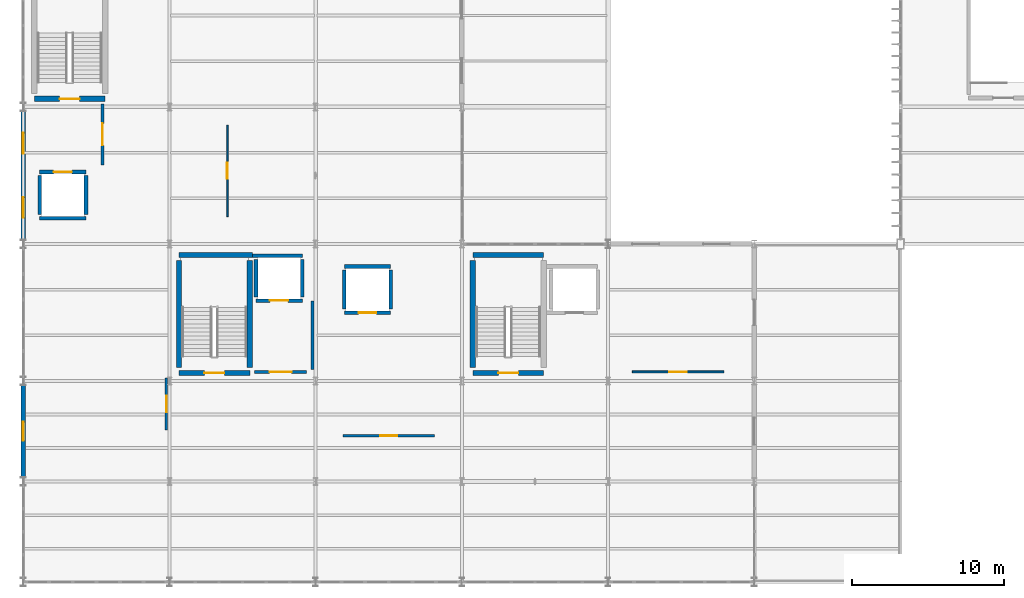
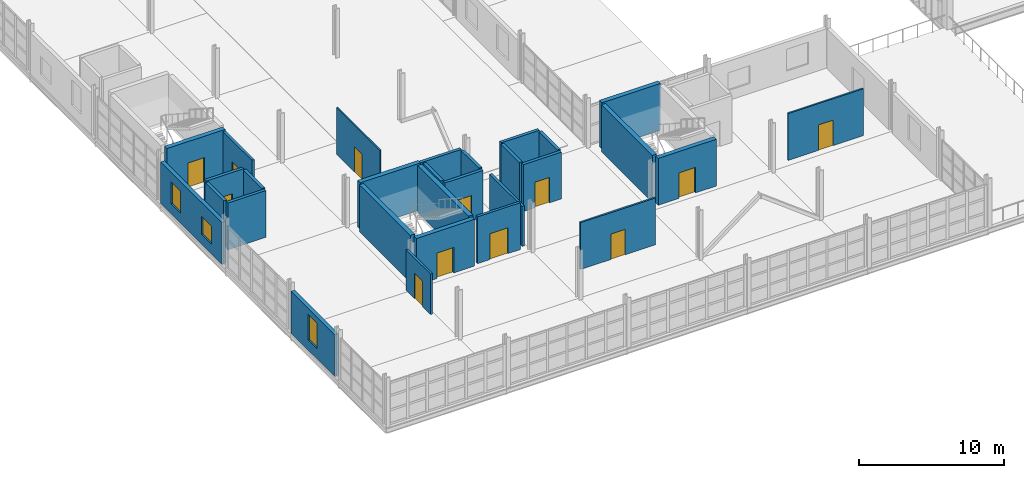
# One storey, part 68 of 82: 29 walls, 12 doors, 3 windows, 15 openings.
"""IFC4 building model written with IfcOpenShell, lengths in metres."""

from ifc_helpers import new_model, si_unit, direction, frame, frame_2d, origin, place, context, subcontext, project, spatial, rectangle, extrude, material, layer, layer_set, type_object, element, fill, save


model = new_model("IFC4")

# Units and contexts
model_context = context("Model", 3, precision=1e-05, world=origin(), true_north=direction((0.0, 1.0)))
body_context = subcontext(model_context, "Body", "Model", "MODEL_VIEW")
ifc_project = project(units=[si_unit("LENGTHUNIT", "METRE"), si_unit("AREAUNIT", "SQUARE_METRE"), si_unit("VOLUMEUNIT", "CUBIC_METRE"), si_unit("PLANEANGLEUNIT", "RADIAN"), si_unit("MASSUNIT", "GRAM", prefix="KILO")], contexts=[model_context])

# Site, building, storey
site_placement = place(None, origin())
site = spatial("IfcSite", under=ifc_project, at=site_placement, CompositionType="ELEMENT")
building_placement = place(site_placement, origin())
building = spatial("IfcBuilding", under=site, at=building_placement, Name="Zarnetskaya Central Station", CompositionType="ELEMENT")
storey_placement = place(building_placement, frame((0.0, 0.0, 10.199951171875)))
storey = spatial("IfcBuildingStorey", under=building, at=storey_placement, Name="L02", CompositionType="ELEMENT", Elevation=10.199951171875)

# Wall, opening, door
ifc_material_1 = material(Name="Gypsum acoustic partition")
ifc_layer_1 = layer(ifc_material_1, 0.159912109375, Name="Gypsum acoustic partition")
ifc_layer_set_1 = layer_set([ifc_layer_1], Name="Gypsum acoustic partition")
wall_type_1 = type_object("IfcWallType", Name="PART-ACOU-160", PredefinedType="PARTITIONING", material=ifc_layer_set_1)
wall_1_placement = place(storey_placement, frame((9.39990234375, 13.39990234375, 0.0), z_axis=(0.0, 0.0, 1.0), x_axis=(0.0, -1.0, 0.0)))
wall_1 = element("IfcWall", 1, at=wall_1_placement, inside=storey, type_object=wall_type_1, Name="Interior partition IPRT-L02-0422", PredefinedType="PARTITIONING", context=body_context, shape_type="SweptSolid", body=[
    extrude(rectangle(XDim=3.39990234375, YDim=0.159912109375, at=frame_2d((1.699951171875, 0.0))), origin(), (0.0, 0.0, 1.0), 3.420166015625),
])
opening_1_placement = place(wall_1_placement, frame((1.159912109375, 0.0, 0.0)))
opening_1 = element("IfcOpeningElement", 2, at=opening_1_placement, cuts=wall_1, Name="Opening DR-25", PredefinedType="OPENING", context=body_context, shape_type="SweptSolid", body=[
    extrude(rectangle(XDim=1.080078125, YDim=2.1201171875, at=frame_2d((0.5400390625, 1.06005859375))), frame((0.0, 0.08984375, 0.0), z_axis=(0.0, -1.0, 0.0), x_axis=(1.0, 0.0, 0.0)), (0.0, 0.0, 1.0), 0.179931640625),
])
ifc_material_2 = material(Name="Anodised aluminium", Category="aluminium")
door_type_1 = type_object("IfcDoorType", Name="DR-INT-06", OperationType="NOTDEFINED", PredefinedType="DOOR", material=ifc_material_2)
door_1_placement = place(opening_1_placement, origin())
door_1 = element("IfcDoor", 3, at=door_1_placement, inside=storey, type_object=door_type_1, Name="Relay and Trackside Power Conditioning Hall door", OperationType="SINGLE_SWING_RIGHT", OverallHeight=2.1201171875, OverallWidth=1.080078125, PredefinedType="DOOR", context=body_context, shape_type="SweptSolid", body=[
    extrude(rectangle(XDim=1.080078125, YDim=2.1201171875, at=frame_2d((0.5400390625, 1.06005859375))), frame((0.0, 0.02490234375, 0.0), z_axis=(0.0, -1.0, 0.0), x_axis=(1.0, 0.0, 0.0)), (0.0, 0.0, 1.0), 0.050048828125),
])
fill(opening_1, door_1)

ifc_material_3 = material(Name="Concrete C30/37", Category="concrete")
ifc_layer_2 = layer(ifc_material_3, 0.205078125, Name="Concrete C30/37", Category="concrete")
ifc_layer_set_2 = layer_set([ifc_layer_2], Name="Concrete C30/37")
wall_type_2 = type_object("IfcWallType", Name="PART-FFL-205", PredefinedType="PARTITIONING", material=ifc_layer_set_2)
wall_2_placement = place(storey_placement, frame((18.60009765625, 13.800048828125, 0.0), z_axis=(0.0, 0.0, 1.0), x_axis=(-1.0, 0.0, 0.0)))
wall_2 = element("IfcWall", 4, at=wall_2_placement, inside=storey, type_object=wall_type_2, Name="Interior partition IPRT-L02-0362", PredefinedType="PARTITIONING", context=body_context, shape_type="SweptSolid", body=[
    extrude(rectangle(XDim=3.400146484375, YDim=0.205078125, at=frame_2d((1.7001953125, 0.0))), origin(), (0.0, 0.0, 1.0), 3.949951171875),
])
opening_2_placement = place(wall_2_placement, frame((0.97998046875, 0.0, 0.0)))
opening_2 = element("IfcOpeningElement", 5, at=opening_2_placement, cuts=wall_2, Name="Opening DR-FFL", PredefinedType="OPENING", context=body_context, shape_type="SweptSolid", body=[
    extrude(rectangle(XDim=1.43994140625, YDim=2.179931640625, at=frame_2d((0.719970703125, 1.08984375))), frame((0.0, 0.112548828125, 0.0), z_axis=(0.0, -1.0, 0.0), x_axis=(1.0, 0.0, 0.0)), (0.0, 0.0, 1.0), 0.22509765625),
])
door_type_2 = type_object("IfcDoorType", Name="DR-FIRE-LOBBY", OperationType="NOTDEFINED", PredefinedType="DOOR", material=ifc_material_2)
door_2_placement = place(opening_2_placement, origin())
door_2 = element("IfcDoor", 6, at=door_2_placement, inside=storey, type_object=door_type_2, Name="Firefighting Lift Lobby C1 door", OperationType="SINGLE_SWING_RIGHT", OverallHeight=2.179931640625, OverallWidth=1.43994140625, PredefinedType="DOOR", context=body_context, shape_type="SweptSolid", body=[
    extrude(rectangle(XDim=1.43994140625, YDim=2.179931640625, at=frame_2d((0.719970703125, 1.08984375))), frame((0.0, 0.02490234375, 0.0), z_axis=(0.0, -1.0, 0.0), x_axis=(1.0, 0.0, 0.0)), (0.0, 0.0, 1.0), 0.050048828125),
])
fill(opening_2, door_2)

# Wall
wall_3_placement = place(storey_placement, frame((19.0, 18.449951171875, 0.0), z_axis=(0.0, 0.0, 1.0), x_axis=(0.0, -1.0, 0.0)))
element("IfcWall", 7, at=wall_3_placement, inside=storey, type_object=wall_type_2, Name="Interior partition IPRT-L02-0363", PredefinedType="PARTITIONING", context=body_context, shape_type="SweptSolid", body=[
    extrude(rectangle(XDim=4.5, YDim=0.205078125, at=frame_2d((2.25, 0.0))), origin(), (0.0, 0.0, 1.0), 3.3701171875),
])

# Wall, opening, door
wall_4_placement = place(storey_placement, frame((5.199951171875, 31.39990234375, 0.0), z_axis=(0.0, 0.0, 1.0), x_axis=(0.0, -1.0, 0.0)))
wall_4 = element("IfcWall", 8, at=wall_4_placement, inside=storey, type_object=wall_type_2, Name="Interior partition IPRT-L02-0364", PredefinedType="PARTITIONING", context=body_context, shape_type="SweptSolid", body=[
    extrude(rectangle(XDim=4.0, YDim=0.205078125, at=frame_2d((2.0, 0.0))), origin(), (0.0, 0.0, 1.0), 3.949951171875),
])
opening_3_placement = place(wall_4_placement, frame((1.280029296875, 0.0, 0.0)))
opening_3 = element("IfcOpeningElement", 9, at=opening_3_placement, cuts=wall_4, Name="Opening DR-FFL", PredefinedType="OPENING", context=body_context, shape_type="SweptSolid", body=[
    extrude(rectangle(XDim=1.43994140625, YDim=2.179931640625, at=frame_2d((0.719970703125, 1.08984375))), frame((0.0, 0.112548828125, 0.0), z_axis=(0.0, -1.0, 0.0), x_axis=(1.0, 0.0, 0.0)), (0.0, 0.0, 1.0), 0.22509765625),
])
door_3_placement = place(opening_3_placement, origin())
door_3 = element("IfcDoor", 10, at=door_3_placement, inside=storey, type_object=door_type_2, Name="Firefighting Lift Lobby C2 door", OperationType="SINGLE_SWING_LEFT", OverallHeight=2.179931640625, OverallWidth=1.43994140625, PredefinedType="DOOR", context=body_context, shape_type="SweptSolid", body=[
    extrude(rectangle(XDim=1.43994140625, YDim=2.179931640625, at=frame_2d((0.719970703125, 1.08984375))), frame((0.0, 0.02490234375, 0.0), z_axis=(0.0, -1.0, 0.0), x_axis=(1.0, 0.0, 0.0)), (0.0, 0.0, 1.0), 0.050048828125),
])
fill(opening_3, door_3)

ifc_layer_3 = layer(ifc_material_1, 0.14501953125, Name="Gypsum acoustic partition")
ifc_layer_set_3 = layer_set([ifc_layer_3], Name="Gypsum acoustic partition")
wall_type_3 = type_object("IfcWallType", Name="PART-HALL-145", PredefinedType="PARTITIONING", material=ifc_layer_set_3)
wall_5_placement = place(storey_placement, frame((21.0, 9.60009765625, 0.0), z_axis=(0.0, 0.0, 1.0), x_axis=(1.0, 0.0, 0.0)))
wall_5 = element("IfcWall", 11, at=wall_5_placement, inside=storey, type_object=wall_type_3, Name="Interior partition IPRT-L02-0423", PredefinedType="PARTITIONING", context=body_context, shape_type="SweptSolid", body=[
    extrude(rectangle(XDim=6.0, YDim=0.14501953125, at=frame_2d((3.0, 0.0))), origin(), (0.0, 0.0, 1.0), 3.949951171875),
])
opening_4_placement = place(wall_5_placement, frame((2.43994140625, 0.0, 0.0)))
opening_4 = element("IfcOpeningElement", 12, at=opening_4_placement, cuts=wall_5, Name="Opening DR-07", PredefinedType="OPENING", context=body_context, shape_type="SweptSolid", body=[
    extrude(rectangle(XDim=1.1201171875, YDim=2.14990234375, at=frame_2d((0.56005859375, 1.074951171875))), frame((0.0, 0.08251953125, 0.0), z_axis=(0.0, -1.0, 0.0), x_axis=(1.0, 0.0, 0.0)), (0.0, 0.0, 1.0), 0.1650390625),
])
door_type_3 = type_object("IfcDoorType", Name="DR-INT-07", OperationType="NOTDEFINED", PredefinedType="DOOR", material=ifc_material_2)
door_4_placement = place(opening_4_placement, origin())
door_4 = element("IfcDoor", 13, at=door_4_placement, inside=storey, type_object=door_type_3, Name="Station Dispatch Offices East door", OperationType="SINGLE_SWING_LEFT", OverallHeight=2.14990234375, OverallWidth=1.1201171875, PredefinedType="DOOR", context=body_context, shape_type="SweptSolid", body=[
    extrude(rectangle(XDim=1.1201171875, YDim=2.14990234375, at=frame_2d((0.56005859375, 1.074951171875))), frame((0.0, 0.02490234375, 0.0), z_axis=(0.0, -1.0, 0.0), x_axis=(1.0, 0.0, 0.0)), (0.0, 0.0, 1.0), 0.050048828125),
])
fill(opening_4, door_4)

ifc_material_4 = material(Name="Gypsum stud partition")
ifc_layer_4 = layer(ifc_material_4, 0.10009765625, Name="Gypsum stud partition")
ifc_layer_set_4 = layer_set([ifc_layer_4], Name="Gypsum stud partition")
wall_type_4 = type_object("IfcWallType", Name="PART-LGT-100", PredefinedType="PARTITIONING", material=ifc_layer_set_4)
wall_6_placement = place(storey_placement, frame((13.39990234375, 24.0, 0.0), z_axis=(0.0, 0.0, 1.0), x_axis=(0.0, 1.0, 0.0)))
wall_6 = element("IfcWall", 14, at=wall_6_placement, inside=storey, type_object=wall_type_4, Name="Interior partition IPRT-L02-0421", PredefinedType="PARTITIONING", context=body_context, shape_type="SweptSolid", body=[
    extrude(rectangle(XDim=6.0, YDim=0.10009765625, at=frame_2d((3.0, 0.0))), origin(), (0.0, 0.0, 1.0), 3.949951171875),
])
opening_5_placement = place(wall_6_placement, frame((2.47998046875, 0.0, 0.0)))
opening_5 = element("IfcOpeningElement", 15, at=opening_5_placement, cuts=wall_6, Name="Opening DR-26", PredefinedType="OPENING", context=body_context, shape_type="SweptSolid", body=[
    extrude(rectangle(XDim=1.0400390625, YDim=2.1201171875, at=frame_2d((0.52001953125, 1.06005859375))), frame((0.0, 0.06005859375, 0.0), z_axis=(0.0, -1.0, 0.0), x_axis=(1.0, 0.0, 0.0)), (0.0, 0.0, 1.0), 0.1201171875),
])
door_type_4 = type_object("IfcDoorType", Name="DR-INT-05", OperationType="NOTDEFINED", PredefinedType="DOOR", material=ifc_material_2)
door_5_placement = place(opening_5_placement, origin())
door_5 = element("IfcDoor", 16, at=door_5_placement, inside=storey, type_object=door_type_4, Name="Signalling and Interlock Equipment Hall door", OperationType="SINGLE_SWING_LEFT", OverallHeight=2.1201171875, OverallWidth=1.0400390625, PredefinedType="DOOR", context=body_context, shape_type="SweptSolid", body=[
    extrude(rectangle(XDim=1.0400390625, YDim=2.1201171875, at=frame_2d((0.52001953125, 1.06005859375))), frame((0.0, 0.02490234375, 0.0), z_axis=(0.0, -1.0, 0.0), x_axis=(1.0, 0.0, 0.0)), (0.0, 0.0, 1.0), 0.050048828125),
])
fill(opening_5, door_5)

ifc_layer_5 = layer(ifc_material_1, 0.1298828125, Name="Gypsum acoustic partition")
ifc_layer_set_5 = layer_set([ifc_layer_5], Name="Gypsum acoustic partition")
wall_type_5 = type_object("IfcWallType", Name="PART-OFF-130", PredefinedType="PARTITIONING", material=ifc_layer_set_5)
wall_7_placement = place(storey_placement, frame((46.0, 13.800048828125, 0.0), z_axis=(0.0, 0.0, 1.0), x_axis=(-1.0, 0.0, 0.0)))
wall_7 = element("IfcWall", 17, at=wall_7_placement, inside=storey, type_object=wall_type_5, Name="Interior partition IPRT-L02-0424", PredefinedType="PARTITIONING", context=body_context, shape_type="SweptSolid", body=[
    extrude(rectangle(XDim=6.0, YDim=0.1298828125, at=frame_2d((3.0, 0.0))), origin(), (0.0, 0.0, 1.0), 3.949951171875),
])
opening_6_placement = place(wall_7_placement, frame((2.419921875, 0.0, 0.0)))
opening_6 = element("IfcOpeningElement", 18, at=opening_6_placement, cuts=wall_7, Name="Opening DR-19", PredefinedType="OPENING", context=body_context, shape_type="SweptSolid", body=[
    extrude(rectangle(XDim=1.159912109375, YDim=2.14990234375, at=frame_2d((0.580078125, 1.074951171875))), frame((0.0, 0.074951171875, 0.0), z_axis=(0.0, -1.0, 0.0), x_axis=(1.0, 0.0, 0.0)), (0.0, 0.0, 1.0), 0.14990234375),
])
door_type_5 = type_object("IfcDoorType", Name="DR-INT-08", OperationType="NOTDEFINED", PredefinedType="DOOR", material=ifc_material_2)
door_6_placement = place(opening_6_placement, origin())
door_6 = element("IfcDoor", 19, at=door_6_placement, inside=storey, type_object=door_type_5, Name="Platform Operations Dispatch Lounge door", OperationType="SINGLE_SWING_RIGHT", OverallHeight=2.14990234375, OverallWidth=1.159912109375, PredefinedType="DOOR", context=body_context, shape_type="SweptSolid", body=[
    extrude(rectangle(XDim=1.159912109375, YDim=2.14990234375, at=frame_2d((0.580078125, 1.074951171875))), frame((0.0, 0.02490234375, 0.0), z_axis=(0.0, -1.0, 0.0), x_axis=(1.0, 0.0, 0.0)), (0.0, 0.0, 1.0), 0.050048828125),
])
fill(opening_6, door_6)

ifc_material_5 = material(Name="Concrete C35/45", Category="concrete")
ifc_layer_6 = layer(ifc_material_5, 0.35009765625, Name="Concrete C35/45", Category="concrete")
ifc_layer_set_6 = layer_set([ifc_layer_6], Name="Concrete C35/45")
wall_type_6 = type_object("IfcWallType", Name="WALL-CORE-350", PredefinedType="SHEAR", material=ifc_layer_set_6)
wall_8_placement = place(storey_placement, frame((14.875, 13.72509765625, 0.0), z_axis=(0.0, 0.0, 1.0), x_axis=(-1.0, 0.0, 0.0)))
wall_8 = element("IfcWall", 20, at=wall_8_placement, inside=storey, type_object=wall_type_6, Name="Core shear wall WSTR-L02-0201", PredefinedType="SHEAR", context=body_context, shape_type="SweptSolid", body=[
    extrude(rectangle(XDim=4.64990234375, YDim=0.35009765625, at=frame_2d((2.324951171875, 0.0))), origin(), (0.0, 0.0, 1.0), 3.949951171875),
])
opening_7_placement = place(wall_8_placement, frame((1.6650390625, 0.0, 0.0)))
opening_7 = element("IfcOpeningElement", 21, at=opening_7_placement, cuts=wall_8, Name="Opening DR-FD60", PredefinedType="OPENING", context=body_context, shape_type="SweptSolid", body=[
    extrude(rectangle(XDim=1.320068359375, YDim=2.14990234375, at=frame_2d((0.66015625, 1.074951171875))), frame((0.0, 0.18505859375, 0.0), z_axis=(0.0, -1.0, 0.0), x_axis=(1.0, 0.0, 0.0)), (0.0, 0.0, 1.0), 0.3701171875),
])
door_type_6 = type_object("IfcDoorType", Name="DR-FIRE-STAIR", OperationType="NOTDEFINED", PredefinedType="DOOR", material=ifc_material_2)
door_7_placement = place(opening_7_placement, origin())
door_7 = element("IfcDoor", 22, at=door_7_placement, inside=storey, type_object=door_type_6, Name="Protected exit stair door ST-C1 L02", OperationType="SINGLE_SWING_RIGHT", OverallHeight=2.14990234375, OverallWidth=1.320068359375, PredefinedType="DOOR", context=body_context, shape_type="SweptSolid", body=[
    extrude(rectangle(XDim=1.320068359375, YDim=2.14990234375, at=frame_2d((0.66015625, 1.074951171875))), frame((0.0, 0.02490234375, 0.0), z_axis=(0.0, -1.0, 0.0), x_axis=(1.0, 0.0, 0.0)), (0.0, 0.0, 1.0), 0.050048828125),
])
fill(opening_7, door_7)

# Walls
wall_9_placement = place(storey_placement, frame((10.22509765625, 21.47509765625, 0.0), z_axis=(0.0, 0.0, 1.0), x_axis=(1.0, 0.0, 0.0)))
element("IfcWall", 23, at=wall_9_placement, inside=storey, type_object=wall_type_6, Name="Core shear wall WSTR-L02-0202", PredefinedType="SHEAR", context=body_context, shape_type="SweptSolid", body=[
    extrude(rectangle(XDim=4.824951171875, YDim=0.35009765625, at=frame_2d((2.41259765625, 0.0))), origin(), (0.0, 0.0, 1.0), 3.949951171875),
])
for number, where, z_axis, x_axis, name in (
    (24, (10.22509765625, 14.074951171875, 0.0), (0.0, 0.0, 1.0), (0.0, 1.0, 0.0), "Core shear wall WSTR-L02-0203"),
    (25, (14.875, 21.125, 0.0), (0.0, 0.0, 1.0), (0.0, -1.0, 0.0), "Core shear wall WSTR-L02-0204"),
):
    element("IfcWall", number, at=place(storey_placement, frame(where, z_axis=z_axis, x_axis=x_axis)), inside=storey, type_object=wall_type_6, Name=name, PredefinedType="SHEAR", context=body_context, shape_type="SweptSolid", body=[
        extrude(rectangle(XDim=7.050048828125, YDim=0.35009765625, at=frame_2d((3.52490234375, 0.0))), origin(), (0.0, 0.0, 1.0), 3.949951171875),
    ])

# Wall, opening, door
wall_10_placement = place(storey_placement, frame((5.375, 31.72509765625, 0.0), z_axis=(0.0, 0.0, 1.0), x_axis=(-1.0, 0.0, 0.0)))
wall_10 = element("IfcWall", 26, at=wall_10_placement, inside=storey, type_object=wall_type_6, Name="Core shear wall WSTR-L02-0229", PredefinedType="SHEAR", context=body_context, shape_type="SweptSolid", body=[
    extrude(rectangle(XDim=4.64990234375, YDim=0.35009765625, at=frame_2d((2.324951171875, 0.0))), origin(), (0.0, 0.0, 1.0), 3.949951171875),
])
opening_8_placement = place(wall_10_placement, frame((1.6650390625, 0.0, 0.0)))
opening_8 = element("IfcOpeningElement", 27, at=opening_8_placement, cuts=wall_10, Name="Opening DR-FD60", PredefinedType="OPENING", context=body_context, shape_type="SweptSolid", body=[
    extrude(rectangle(XDim=1.320068359375, YDim=2.14990234375, at=frame_2d((0.66015625, 1.074951171875))), frame((0.0, 0.18505859375, 0.0), z_axis=(0.0, -1.0, 0.0), x_axis=(1.0, 0.0, 0.0)), (0.0, 0.0, 1.0), 0.3701171875),
])
door_8_placement = place(opening_8_placement, origin())
door_8 = element("IfcDoor", 28, at=door_8_placement, inside=storey, type_object=door_type_6, Name="Protected exit stair door ST-C2 L02", OperationType="SINGLE_SWING_LEFT", OverallHeight=2.14990234375, OverallWidth=1.320068359375, PredefinedType="DOOR", context=body_context, shape_type="SweptSolid", body=[
    extrude(rectangle(XDim=1.320068359375, YDim=2.14990234375, at=frame_2d((0.66015625, 1.074951171875))), frame((0.0, 0.02490234375, 0.0), z_axis=(0.0, -1.0, 0.0), x_axis=(1.0, 0.0, 0.0)), (0.0, 0.0, 1.0), 0.050048828125),
])
fill(opening_8, door_8)

wall_11_placement = place(storey_placement, frame((34.175048828125, 13.72509765625, 0.0), z_axis=(0.0, 0.0, 1.0), x_axis=(-1.0, 0.0, 0.0)))
wall_11 = element("IfcWall", 29, at=wall_11_placement, inside=storey, type_object=wall_type_6, Name="Core shear wall WSTR-L02-0257", PredefinedType="SHEAR", context=body_context, shape_type="SweptSolid", body=[
    extrude(rectangle(XDim=4.650146484375, YDim=0.35009765625, at=frame_2d((2.3251953125, 0.0))), origin(), (0.0, 0.0, 1.0), 3.949951171875),
])
opening_9_placement = place(wall_11_placement, frame((1.6650390625, 0.0, 0.0)))
opening_9 = element("IfcOpeningElement", 30, at=opening_9_placement, cuts=wall_11, Name="Opening DR-FD60", PredefinedType="OPENING", context=body_context, shape_type="SweptSolid", body=[
    extrude(rectangle(XDim=1.320068359375, YDim=2.14990234375, at=frame_2d((0.66015625, 1.074951171875))), frame((0.0, 0.18505859375, 0.0), z_axis=(0.0, -1.0, 0.0), x_axis=(1.0, 0.0, 0.0)), (0.0, 0.0, 1.0), 0.3701171875),
])
door_9_placement = place(opening_9_placement, origin())
door_9 = element("IfcDoor", 31, at=door_9_placement, inside=storey, type_object=door_type_6, Name="Protected exit stair door ST-C3 L02", OperationType="SINGLE_SWING_RIGHT", OverallHeight=2.14990234375, OverallWidth=1.320068359375, PredefinedType="DOOR", context=body_context, shape_type="SweptSolid", body=[
    extrude(rectangle(XDim=1.320068359375, YDim=2.14990234375, at=frame_2d((0.66015625, 1.074951171875))), frame((0.0, 0.02490234375, 0.0), z_axis=(0.0, -1.0, 0.0), x_axis=(1.0, 0.0, 0.0)), (0.0, 0.0, 1.0), 0.050048828125),
])
fill(opening_9, door_9)

# Walls
wall_12_placement = place(storey_placement, frame((29.52490234375, 21.47509765625, 0.0), z_axis=(0.0, 0.0, 1.0), x_axis=(1.0, 0.0, 0.0)))
element("IfcWall", 32, at=wall_12_placement, inside=storey, type_object=wall_type_6, Name="Core shear wall WSTR-L02-0258", PredefinedType="SHEAR", context=body_context, shape_type="SweptSolid", body=[
    extrude(rectangle(XDim=4.650146484375, YDim=0.35009765625, at=frame_2d((2.3251953125, 0.0))), origin(), (0.0, 0.0, 1.0), 3.949951171875),
])
wall_13_placement = place(storey_placement, frame((29.52490234375, 14.074951171875, 0.0), z_axis=(0.0, 0.0, 1.0), x_axis=(0.0, 1.0, 0.0)))
element("IfcWall", 33, at=wall_13_placement, inside=storey, type_object=wall_type_6, Name="Core shear wall WSTR-L02-0259", PredefinedType="SHEAR", context=body_context, shape_type="SweptSolid", body=[
    extrude(rectangle(XDim=7.050048828125, YDim=0.35009765625, at=frame_2d((3.52490234375, 0.0))), origin(), (0.0, 0.0, 1.0), 3.949951171875),
])

# Wall, opening, window
ifc_material_6 = material(Name="Precast concrete C40/50", Category="concrete")
ifc_layer_7 = layer(ifc_material_6, 0.300048828125, Name="Precast concrete C40/50", Category="concrete")
ifc_layer_set_7 = layer_set([ifc_layer_7], Name="Precast concrete C40/50")
wall_type_7 = type_object("IfcWallType", Name="WALL-EXT-300", PredefinedType="SOLIDWALL", material=ifc_layer_set_7)
wall_14_placement = place(storey_placement, frame((0.0, 6.875, 0.0), z_axis=(0.0, 0.0, 1.0), x_axis=(0.0, 1.0, 0.0)))
wall_14 = element("IfcWall", 34, at=wall_14_placement, inside=storey, type_object=wall_type_7, Name="Exterior precast wall EW-L02-0-69-0-129", PredefinedType="SOLIDWALL", context=body_context, shape_type="SweptSolid", body=[
    extrude(rectangle(XDim=6.050048828125, YDim=0.300048828125, at=frame_2d((3.02490234375, 0.0))), origin(), (0.0, 0.0, 1.0), 3.52001953125),
])
opening_10_placement = place(wall_14_placement, frame((2.39990234375, 0.0, 0.85009765625)))
opening_10 = element("IfcOpeningElement", 35, at=opening_10_placement, cuts=wall_14, Name="Opening WN-40", PredefinedType="OPENING", context=body_context, shape_type="SweptSolid", body=[
    extrude(rectangle(XDim=1.25, YDim=2.14990234375, at=frame_2d((0.625, 1.074951171875))), frame((0.0, 0.16015625, 0.0), z_axis=(0.0, -1.0, 0.0), x_axis=(1.0, 0.0, 0.0)), (0.0, 0.0, 1.0), 0.320068359375),
])
ifc_material_7 = material(Name="Low-E insulated glass", Category="glass")
window_type_1 = type_object("IfcWindowType", Name="WIN-06", PartitioningType="SINGLE_PANEL", PredefinedType="WINDOW", material=ifc_material_7)
window_1_placement = place(opening_10_placement, origin())
window_1 = element("IfcWindow", 36, at=window_1_placement, inside=storey, type_object=window_type_1, Name="Facade window L02-0060", OverallHeight=2.14990234375, OverallWidth=1.25, PartitioningType="SINGLE_PANEL", PredefinedType="WINDOW", context=body_context, shape_type="SweptSolid", body=[
    extrude(rectangle(XDim=1.25, YDim=2.14990234375, at=frame_2d((0.625, 1.074951171875))), frame((0.0, 0.030029296875, 0.0), z_axis=(0.0, -1.0, 0.0), x_axis=(1.0, 0.0, 0.0)), (0.0, 0.0, 1.0), 0.06005859375),
])
fill(opening_10, window_1)

# Wall, openings, windows
wall_15_placement = place(storey_placement, frame((0.0, 22.47509765625, 0.0), z_axis=(0.0, 0.0, 1.0), x_axis=(0.0, 1.0, 0.0)))
wall_15 = element("IfcWall", 37, at=wall_15_placement, inside=storey, type_object=wall_type_7, Name="Exterior precast wall EW-L02-0-225-0-309", PredefinedType="SOLIDWALL", context=body_context, shape_type="SweptSolid", body=[
    extrude(rectangle(XDim=8.449951171875, YDim=0.300048828125, at=frame_2d((4.22509765625, 0.0))), origin(), (0.0, 0.0, 1.0), 3.52001953125),
])
opening_11_placement = place(wall_15_placement, frame((1.4375, 0.0, 0.85009765625)))
opening_11 = element("IfcOpeningElement", 38, at=opening_11_placement, cuts=wall_15, Name="Opening WN-03", PredefinedType="OPENING", context=body_context, shape_type="SweptSolid", body=[
    extrude(rectangle(XDim=1.35009765625, YDim=1.5, at=frame_2d((0.675048828125, 0.75))), frame((0.0, 0.16015625, 0.0), z_axis=(0.0, -1.0, 0.0), x_axis=(1.0, 0.0, 0.0)), (0.0, 0.0, 1.0), 0.320068359375),
])
opening_12_placement = place(wall_15_placement, frame((5.66259765625, 0.0, 0.85009765625)))
opening_12 = element("IfcOpeningElement", 39, at=opening_12_placement, cuts=wall_15, Name="Opening WN-04", PredefinedType="OPENING", context=body_context, shape_type="SweptSolid", body=[
    extrude(rectangle(XDim=1.35009765625, YDim=1.85009765625, at=frame_2d((0.675048828125, 0.925048828125))), frame((0.0, 0.16015625, 0.0), z_axis=(0.0, -1.0, 0.0), x_axis=(1.0, 0.0, 0.0)), (0.0, 0.0, 1.0), 0.320068359375),
])
window_type_2 = type_object("IfcWindowType", Name="WIN-07", PartitioningType="SINGLE_PANEL", PredefinedType="WINDOW", material=ifc_material_7)
window_2_placement = place(opening_11_placement, origin())
window_2 = element("IfcWindow", 40, at=window_2_placement, inside=storey, type_object=window_type_2, Name="Facade window L02-0061", OverallHeight=1.5, OverallWidth=1.35009765625, PartitioningType="SINGLE_PANEL", PredefinedType="WINDOW", context=body_context, shape_type="SweptSolid", body=[
    extrude(rectangle(XDim=1.35009765625, YDim=1.5, at=frame_2d((0.675048828125, 0.75))), frame((0.0, 0.030029296875, 0.0), z_axis=(0.0, -1.0, 0.0), x_axis=(1.0, 0.0, 0.0)), (0.0, 0.0, 1.0), 0.06005859375),
])
fill(opening_11, window_2)
window_type_3 = type_object("IfcWindowType", Name="WIN-08", PartitioningType="SINGLE_PANEL", PredefinedType="WINDOW", material=ifc_material_7)
window_3_placement = place(opening_12_placement, origin())
window_3 = element("IfcWindow", 41, at=window_3_placement, inside=storey, type_object=window_type_3, Name="Facade window L02-0062", OverallHeight=1.85009765625, OverallWidth=1.35009765625, PartitioningType="SINGLE_PANEL", PredefinedType="WINDOW", context=body_context, shape_type="SweptSolid", body=[
    extrude(rectangle(XDim=1.35009765625, YDim=1.85009765625, at=frame_2d((0.675048828125, 0.925048828125))), frame((0.0, 0.030029296875, 0.0), z_axis=(0.0, -1.0, 0.0), x_axis=(1.0, 0.0, 0.0)), (0.0, 0.0, 1.0), 0.06005859375),
])
fill(opening_12, window_3)

# Wall, opening, door
ifc_layer_8 = layer(ifc_material_5, 0.239990234375, Name="Concrete C35/45", Category="concrete")
ifc_layer_set_8 = layer_set([ifc_layer_8], Name="Concrete C35/45")
wall_type_8 = type_object("IfcWallType", Name="WALL-SHFT-240", PredefinedType="SHEAR", material=ifc_layer_set_8)
wall_16_placement = place(storey_placement, frame((18.320068359375, 18.47998046875, 0.0), z_axis=(0.0, 0.0, 1.0), x_axis=(-1.0, 0.0, 0.0)))
wall_16 = element("IfcWall", 42, at=wall_16_placement, inside=storey, type_object=wall_type_8, Name="Core shear wall WSHF-L02-0013", PredefinedType="SHEAR", context=body_context, shape_type="SweptSolid", body=[
    extrude(rectangle(XDim=3.0400390625, YDim=0.239990234375, at=frame_2d((1.52001953125, 0.0))), origin(), (0.0, 0.0, 1.0), 3.949951171875),
])
opening_13_placement = place(wall_16_placement, frame((0.919921875, 0.0, 0.0)))
opening_13 = element("IfcOpeningElement", 43, at=opening_13_placement, cuts=wall_16, Name="Opening LD-FF", PredefinedType="OPENING", context=body_context, shape_type="SweptSolid", body=[
    extrude(rectangle(XDim=1.199951171875, YDim=2.14990234375, at=frame_2d((0.60009765625, 1.074951171875))), frame((0.0, 0.1298828125, 0.0), z_axis=(0.0, -1.0, 0.0), x_axis=(1.0, 0.0, 0.0)), (0.0, 0.0, 1.0), 0.260009765625),
])
door_type_7 = type_object("IfcDoorType", Name="DR-LIFT-FF", OperationType="NOTDEFINED", PredefinedType="DOOR", material=ifc_material_2)
door_10_placement = place(opening_13_placement, origin())
door_10 = element("IfcDoor", 44, at=door_10_placement, inside=storey, type_object=door_type_7, Name="Lift landing sliding door FL-01 L02", OperationType="DOUBLE_DOOR_SLIDING", OverallHeight=2.14990234375, OverallWidth=1.199951171875, PredefinedType="DOOR", context=body_context, shape_type="SweptSolid", body=[
    extrude(rectangle(XDim=1.199951171875, YDim=2.14990234375, at=frame_2d((0.60009765625, 1.074951171875))), frame((0.0, 0.02490234375, 0.0), z_axis=(0.0, -1.0, 0.0), x_axis=(1.0, 0.0, 0.0)), (0.0, 0.0, 1.0), 0.050048828125),
])
fill(opening_13, door_10)

# Walls
wall_17_placement = place(storey_placement, frame((15.050048828125, 21.419921875, 0.0), z_axis=(0.0, 0.0, 1.0), x_axis=(1.0, 0.0, 0.0)))
element("IfcWall", 45, at=wall_17_placement, inside=storey, type_object=wall_type_8, Name="Core shear wall WSHF-L02-0014", PredefinedType="SHEAR", context=body_context, shape_type="SweptSolid", body=[
    extrude(rectangle(XDim=3.27001953125, YDim=0.239990234375, at=frame_2d((1.635009765625, 0.0))), origin(), (0.0, 0.0, 1.0), 3.949951171875),
])
for number, where, z_axis, x_axis, name in (
    (46, (15.280029296875, 18.719970703125, 0.0), (0.0, 0.0, 1.0), (0.0, 1.0, 0.0), "Core shear wall WSHF-L02-0015"),
    (47, (18.320068359375, 21.179931640625, 0.0), (0.0, 0.0, 1.0), (0.0, -1.0, 0.0), "Core shear wall WSHF-L02-0016"),
):
    element("IfcWall", number, at=place(storey_placement, frame(where, z_axis=z_axis, x_axis=x_axis)), inside=storey, type_object=wall_type_8, Name=name, PredefinedType="SHEAR", context=body_context, shape_type="SweptSolid", body=[
        extrude(rectangle(XDim=2.4599609375, YDim=0.239990234375, at=frame_2d((1.22998046875, 0.0))), origin(), (0.0, 0.0, 1.0), 3.949951171875),
    ])

# Wall, opening, door
wall_18_placement = place(storey_placement, frame((24.1201171875, 17.679931640625, 0.0), z_axis=(0.0, 0.0, 1.0), x_axis=(-1.0, 0.0, 0.0)))
wall_18 = element("IfcWall", 48, at=wall_18_placement, inside=storey, type_object=wall_type_8, Name="Core shear wall WSHF-L02-0041", PredefinedType="SHEAR", context=body_context, shape_type="SweptSolid", body=[
    extrude(rectangle(XDim=3.0400390625, YDim=0.239990234375, at=frame_2d((1.52001953125, 0.0))), origin(), (0.0, 0.0, 1.0), 3.949951171875),
])
opening_14_placement = place(wall_18_placement, frame((0.93994140625, 0.0, 0.0)))
opening_14 = element("IfcOpeningElement", 49, at=opening_14_placement, cuts=wall_18, Name="Opening DR-24", PredefinedType="OPENING", context=body_context, shape_type="SweptSolid", body=[
    extrude(rectangle(XDim=1.159912109375, YDim=2.14990234375, at=frame_2d((0.580078125, 1.074951171875))), frame((0.0, 0.1298828125, 0.0), z_axis=(0.0, -1.0, 0.0), x_axis=(1.0, 0.0, 0.0)), (0.0, 0.0, 1.0), 0.260009765625),
])
door_type_8 = type_object("IfcDoorType", Name="DR-LIFT-PAX", OperationType="NOTDEFINED", PredefinedType="DOOR", material=ifc_material_2)
door_11_placement = place(opening_14_placement, origin())
door_11 = element("IfcDoor", 50, at=door_11_placement, inside=storey, type_object=door_type_8, Name="Lift landing sliding door LP-01 L02", OperationType="DOUBLE_DOOR_SLIDING", OverallHeight=2.14990234375, OverallWidth=1.159912109375, PredefinedType="DOOR", context=body_context, shape_type="SweptSolid", body=[
    extrude(rectangle(XDim=1.159912109375, YDim=2.14990234375, at=frame_2d((0.580078125, 1.074951171875))), frame((0.0, 0.02490234375, 0.0), z_axis=(0.0, -1.0, 0.0), x_axis=(1.0, 0.0, 0.0)), (0.0, 0.0, 1.0), 0.050048828125),
])
fill(opening_14, door_11)

# Walls
wall_19_placement = place(storey_placement, frame((21.080078125, 20.719970703125, 0.0), z_axis=(0.0, 0.0, 1.0), x_axis=(1.0, 0.0, 0.0)))
element("IfcWall", 51, at=wall_19_placement, inside=storey, type_object=wall_type_8, Name="Core shear wall WSHF-L02-0042", PredefinedType="SHEAR", context=body_context, shape_type="SweptSolid", body=[
    extrude(rectangle(XDim=3.0400390625, YDim=0.239990234375, at=frame_2d((1.52001953125, 0.0))), origin(), (0.0, 0.0, 1.0), 3.949951171875),
])
for number, where, z_axis, x_axis, name in (
    (52, (21.080078125, 17.919921875, 0.0), (0.0, 0.0, 1.0), (0.0, 1.0, 0.0), "Core shear wall WSHF-L02-0043"),
    (53, (24.1201171875, 20.47998046875, 0.0), (0.0, 0.0, 1.0), (0.0, -1.0, 0.0), "Core shear wall WSHF-L02-0044"),
):
    element("IfcWall", number, at=place(storey_placement, frame(where, z_axis=z_axis, x_axis=x_axis)), inside=storey, type_object=wall_type_8, Name=name, PredefinedType="SHEAR", context=body_context, shape_type="SweptSolid", body=[
        extrude(rectangle(XDim=2.56005859375, YDim=0.239990234375, at=frame_2d((1.280029296875, 0.0))), origin(), (0.0, 0.0, 1.0), 3.949951171875),
    ])
wall_20_placement = place(storey_placement, frame((4.1201171875, 23.8798828125, 0.0), z_axis=(0.0, 0.0, 1.0), x_axis=(-1.0, 0.0, 0.0)))
element("IfcWall", 54, at=wall_20_placement, inside=storey, type_object=wall_type_8, Name="Core shear wall WSHF-L02-0069", PredefinedType="SHEAR", context=body_context, shape_type="SweptSolid", body=[
    extrude(rectangle(XDim=3.0400390625, YDim=0.239990234375, at=frame_2d((1.52001953125, 0.0))), origin(), (0.0, 0.0, 1.0), 3.949951171875),
])

# Wall, opening, door
wall_21_placement = place(storey_placement, frame((1.080078125, 26.919921875, 0.0), z_axis=(0.0, 0.0, 1.0), x_axis=(1.0, 0.0, 0.0)))
wall_21 = element("IfcWall", 55, at=wall_21_placement, inside=storey, type_object=wall_type_8, Name="Core shear wall WSHF-L02-0070", PredefinedType="SHEAR", context=body_context, shape_type="SweptSolid", body=[
    extrude(rectangle(XDim=3.0400390625, YDim=0.239990234375, at=frame_2d((1.52001953125, 0.0))), origin(), (0.0, 0.0, 1.0), 3.949951171875),
])
opening_15_placement = place(wall_21_placement, frame((0.919921875, 0.0, 0.0)))
opening_15 = element("IfcOpeningElement", 56, at=opening_15_placement, cuts=wall_21, Name="Opening LD-FF", PredefinedType="OPENING", context=body_context, shape_type="SweptSolid", body=[
    extrude(rectangle(XDim=1.199951171875, YDim=2.14990234375, at=frame_2d((0.60009765625, 1.074951171875))), frame((0.0, 0.1298828125, 0.0), z_axis=(0.0, -1.0, 0.0), x_axis=(1.0, 0.0, 0.0)), (0.0, 0.0, 1.0), 0.260009765625),
])
door_12_placement = place(opening_15_placement, origin())
door_12 = element("IfcDoor", 57, at=door_12_placement, inside=storey, type_object=door_type_7, Name="Lift landing sliding door FL-02 L02", OperationType="DOUBLE_DOOR_SLIDING", OverallHeight=2.14990234375, OverallWidth=1.199951171875, PredefinedType="DOOR", context=body_context, shape_type="SweptSolid", body=[
    extrude(rectangle(XDim=1.199951171875, YDim=2.14990234375, at=frame_2d((0.60009765625, 1.074951171875))), frame((0.0, 0.02490234375, 0.0), z_axis=(0.0, -1.0, 0.0), x_axis=(1.0, 0.0, 0.0)), (0.0, 0.0, 1.0), 0.050048828125),
])
fill(opening_15, door_12)

# Walls
for number, where, z_axis, x_axis, name in (
    (58, (1.080078125, 24.1201171875, 0.0), (0.0, 0.0, 1.0), (0.0, 1.0, 0.0), "Core shear wall WSHF-L02-0071"),
    (59, (4.1201171875, 26.679931640625, 0.0), (0.0, 0.0, 1.0), (0.0, -1.0, 0.0), "Core shear wall WSHF-L02-0072"),
):
    element("IfcWall", number, at=place(storey_placement, frame(where, z_axis=z_axis, x_axis=x_axis)), inside=storey, type_object=wall_type_8, Name=name, PredefinedType="SHEAR", context=body_context, shape_type="SweptSolid", body=[
        extrude(rectangle(XDim=2.559814453125, YDim=0.239990234375, at=frame_2d((1.27978515625, 0.0))), origin(), (0.0, 0.0, 1.0), 3.949951171875),
    ])

save(model, "model.ifc")
